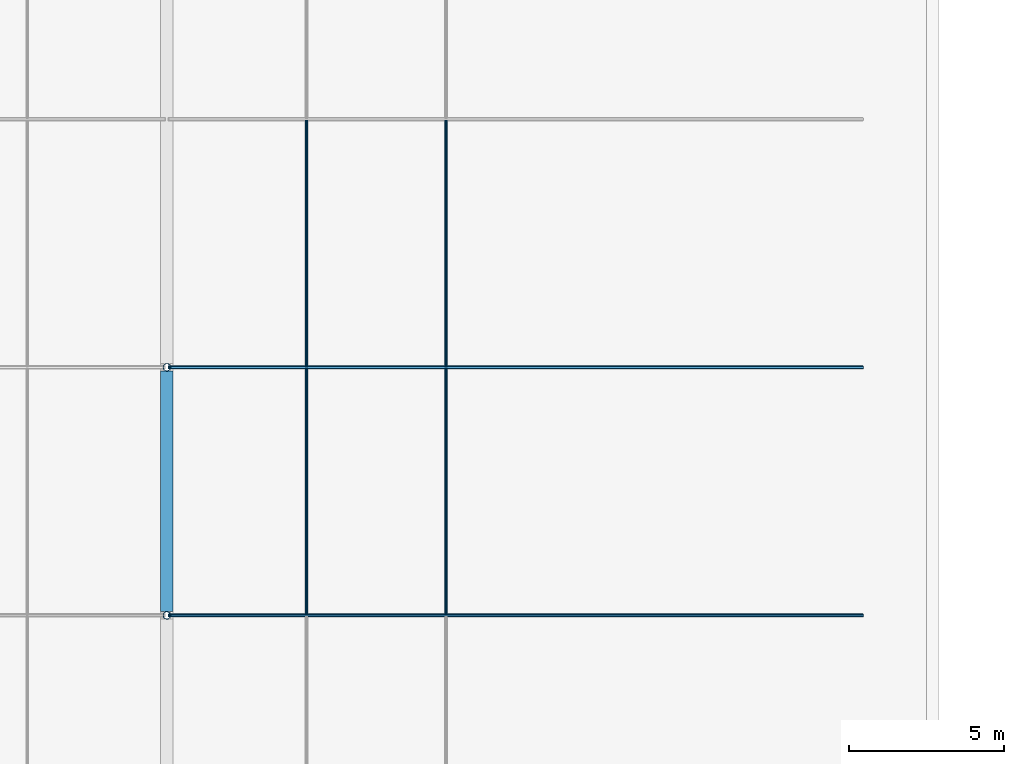
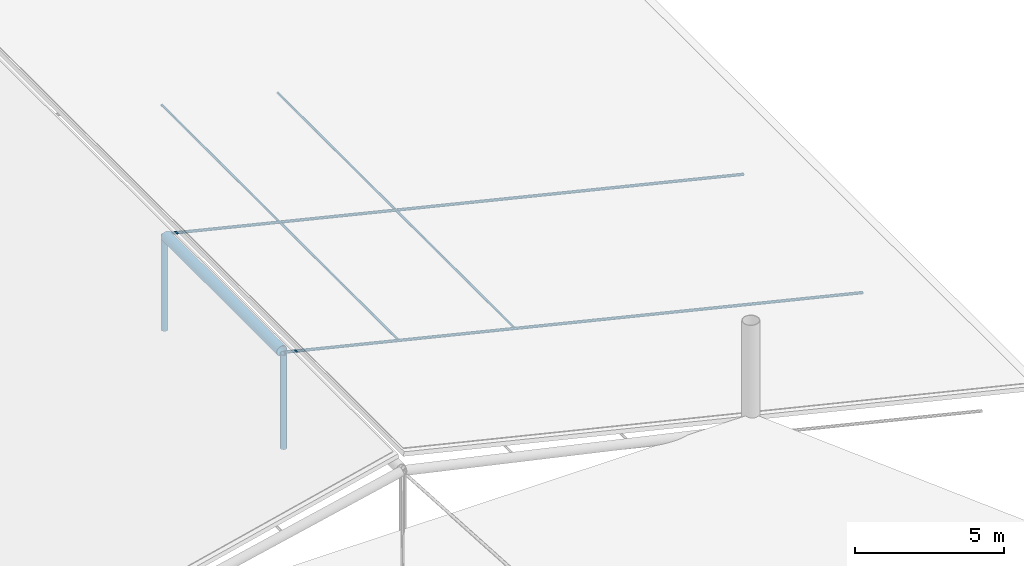
# One storey, part 9 of 71: 9 members.
"""IFC4 building model written with IfcOpenShell, lengths in metres."""

from ifc_helpers import new_model, si_unit, derived_unit, direction, frame, origin, origin_2d, place, context, subcontext, project, spatial, hollow_circle, extrude, material, material_profile, profile_set, type_object, element, save


model = new_model("IFC4")

# Units and contexts
model_context = context("Model", 3, precision=1e-05, world=origin(), true_north=direction((0.0, 1.0)))
body_context = subcontext(model_context, "Body", "Model", "MODEL_VIEW")
ifc_project = project(units=[si_unit("LENGTHUNIT", "METRE"), si_unit("AREAUNIT", "SQUARE_METRE"), si_unit("VOLUMEUNIT", "CUBIC_METRE"), si_unit("PLANEANGLEUNIT", "RADIAN"), si_unit("MASSUNIT", "GRAM", prefix="KILO"), derived_unit("THERMALTRANSMITTANCEUNIT", [(si_unit("MASSUNIT", "GRAM", prefix="KILO"), 1), (si_unit("TIMEUNIT", "SECOND"), -3), (si_unit("THERMODYNAMICTEMPERATUREUNIT", "KELVIN"), -1)])], contexts=[model_context])

# Site, building, storey
site_placement = place(None, origin())
site = spatial("IfcSite", under=ifc_project, at=site_placement, CompositionType="ELEMENT")
building_placement = place(site_placement, origin())
building = spatial("IfcBuilding", under=site, at=building_placement, Name="Zhenchuan Archway Interchange", CompositionType="ELEMENT")
storey_placement = place(building_placement, frame((0.0, 0.0, 18.60009765625)))
storey = spatial("IfcBuildingStorey", under=building, at=storey_placement, Name="L04", CompositionType="ELEMENT", Elevation=18.60009765625)

# Members
ifc_material_1 = material(Name="Steel Q390", Category="steel")
ifc_material_profile_1 = material_profile(ifc_material_1, hollow_circle(Radius=0.056884765625, WallThickness=0.006103515625, at=origin_2d()), Name="CHS 114x6")
ifc_profile_set_1 = profile_set([ifc_material_profile_1], Name="Steel Q390")
member_type_1 = type_object("IfcMemberType", Name="MB_CBL_CHS114", PredefinedType="USERDEFINED", material=ifc_profile_set_1)
for number, where, z_axis, x_axis, name in (
    (1, (49.550048828125, 40.0, 2.75), (0.972148755208, 0.0, -0.234364668299), (0.0, 1.0, 0.0), "CONCOURSE ROOF CABLE east radial strand 2"),
    (2, (49.550048828125, 48.0, 2.75), (0.972148755208, 0.0, -0.234364668299), (0.0, 1.0, 0.0), "CONCOURSE ROOF CABLE east radial strand 3"),
):
    element("IfcMember", number, at=place(storey_placement, frame(where, z_axis=z_axis, x_axis=x_axis)), inside=storey, type_object=member_type_1, Name=name, ObjectType="CABLE", PredefinedType="USERDEFINED", context=body_context, shape_type="SweptSolid", body=[
        extrude(hollow_circle(Radius=0.056884765625, WallThickness=0.006103515625, at=origin_2d()), origin(), (0.0, 0.0, 1.0), 23.041748046875),
    ])
ifc_material_profile_2 = material_profile(ifc_material_1, hollow_circle(Radius=0.04443359375, WallThickness=0.006103515625, at=origin_2d()), Name="CHS 89x6")
ifc_profile_set_2 = profile_set([ifc_material_profile_2], Name="Steel Q390")
member_type_2 = type_object("IfcMemberType", Name="MB_CBL_CHS89", PredefinedType="USERDEFINED", material=ifc_profile_set_2)
for number, where, z_axis, x_axis, name in (
    (3, (54.0, 40.02001953125, 1.639892578125), (0.0, 1.0, 0.0), (-1.0, 0.0, 0.0), "CONCOURSE ROOF CABLE longitudinal net strand 2-4"),
    (4, (58.5, 40.02001953125, 0.559814453125), (0.0, 1.0, 0.0), (-1.0, 0.0, 0.0), "CONCOURSE ROOF CABLE longitudinal net strand 2-5"),
    (5, (54.0, 48.02001953125, 1.639892578125), (0.0, 1.0, 0.0), (-1.0, 0.0, 0.0), "CONCOURSE ROOF CABLE longitudinal net strand 3-4"),
    (6, (58.5, 48.02001953125, 0.559814453125), (0.0, 1.0, 0.0), (-1.0, 0.0, 0.0), "CONCOURSE ROOF CABLE longitudinal net strand 3-5"),
):
    element("IfcMember", number, at=place(storey_placement, frame(where, z_axis=z_axis, x_axis=x_axis)), inside=storey, type_object=member_type_2, Name=name, ObjectType="CABLE", PredefinedType="USERDEFINED", context=body_context, shape_type="SweptSolid", body=[
        extrude(hollow_circle(Radius=0.04443359375, WallThickness=0.006103515625, at=origin_2d()), origin(), (0.0, 0.0, 1.0), 7.9599609375),
    ])
ifc_material_2 = material(Name="Steel Q355", Category="steel")
ifc_material_profile_3 = material_profile(ifc_material_2, hollow_circle(Radius=0.12255859375, WallThickness=0.010009765625, at=origin_2d()), Name="CHS 245x10")
ifc_profile_set_3 = profile_set([ifc_material_profile_3], Name="Steel Q355")
member_type_3 = type_object("IfcMemberType", Name="MB_CHS245", PredefinedType="BRACE", material=ifc_profile_set_3)
for number, where, z_axis, x_axis, name in (
    (7, (49.5, 40.0, -1.150146484375), (0.0, 0.0, 1.0), (1.0, 0.0, 0.0), "ROOF TRUSS concourse arch A2 crown king-post"),
    (8, (49.5, 48.0, -1.150146484375), (0.0, 0.0, 1.0), (1.0, 0.0, 0.0), "ROOF TRUSS concourse arch A3 crown king-post"),
):
    element("IfcMember", number, at=place(storey_placement, frame(where, z_axis=z_axis, x_axis=x_axis)), inside=storey, type_object=member_type_3, Name=name, PredefinedType="BRACE", context=body_context, shape_type="SweptSolid", body=[
        extrude(hollow_circle(Radius=0.12255859375, WallThickness=0.010009765625, at=origin_2d()), origin(), (0.0, 0.0, 1.0), 3.8701171875),
    ])
ifc_material_profile_4 = material_profile(ifc_material_1, hollow_circle(Radius=0.202880859375, WallThickness=0.013916015625, at=origin_2d()), Name="CHS 406x14")
ifc_profile_set_4 = profile_set([ifc_material_profile_4], Name="Steel Q390")
member_type_4 = type_object("IfcMemberType", Name="MB_CHS406", PredefinedType="CHORD", material=ifc_profile_set_4)
member_placement = place(storey_placement, frame((49.5, 40.1201171875, 2.75), z_axis=(0.0, 1.0, 0.0), x_axis=(-1.0, 0.0, 0.0)))
element("IfcMember", 9, at=member_placement, inside=storey, type_object=member_type_4, Name="CONCOURSE ROOF CABLE crown ridge chord 2", PredefinedType="CHORD", context=body_context, shape_type="SweptSolid", body=[
    extrude(hollow_circle(Radius=0.202880859375, WallThickness=0.013916015625, at=origin_2d()), origin(), (0.0, 0.0, 1.0), 7.759765625),
])

save(model, "model.ifc")
